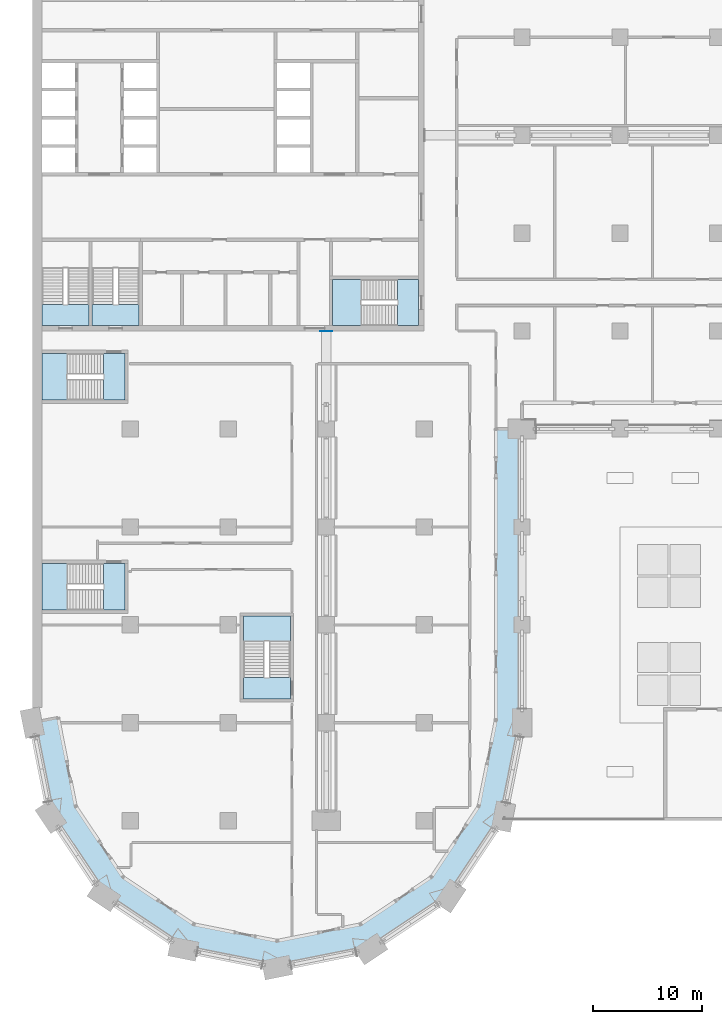
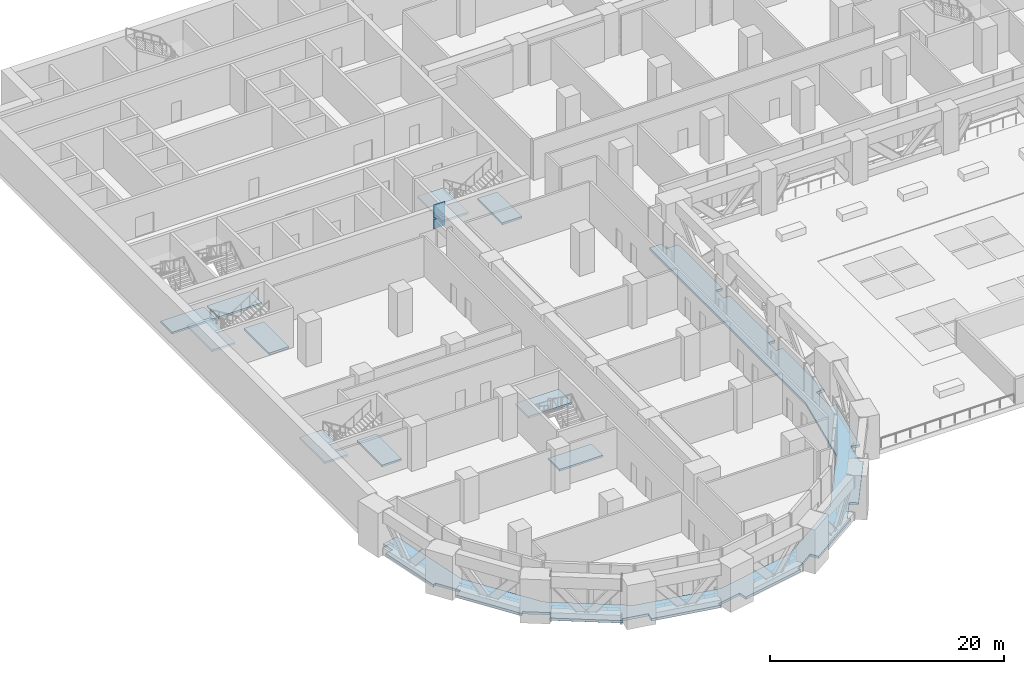
# One storey, part 7 of 31: 11 slabs, 2 plates, 4 elements without a shape of their own.
"""IFC4 building model written with IfcOpenShell, lengths in metres."""

from ifc_helpers import new_model, si_unit, direction, frame, origin, origin_2d, place, context, subcontext, project, spatial, polyline, rectangle, outline, extrude, material, layer, layer_set, type_object, element, aggregate, save


model = new_model("IFC4")

# Units and contexts
model_context = context("Model", 3, precision=1e-05, world=origin(), true_north=direction((0.0, 1.0)))
body_context = subcontext(model_context, "Body", "Model", "MODEL_VIEW")
ifc_project = project(units=[si_unit("LENGTHUNIT", "METRE"), si_unit("AREAUNIT", "SQUARE_METRE"), si_unit("VOLUMEUNIT", "CUBIC_METRE"), si_unit("PLANEANGLEUNIT", "RADIAN"), si_unit("MASSUNIT", "GRAM", prefix="KILO")], contexts=[model_context])

# Site, building, storey
site_placement = place(None, origin())
site = spatial("IfcSite", under=ifc_project, at=site_placement, CompositionType="ELEMENT")
building_placement = place(site_placement, origin())
building = spatial("IfcBuilding", under=site, at=building_placement, Name="Hunhe Ridgeline Campus", CompositionType="ELEMENT")
storey_placement = place(building_placement, frame((0.0, 0.0, 31.199951171875)))
storey = spatial("IfcBuildingStorey", under=building, at=storey_placement, Name="L06", CompositionType="ELEMENT", Elevation=31.199951171875)

# Plates
ifc_material_1 = material(Name="Steel Q420", Category="steel")
ifc_layer_1 = layer(ifc_material_1, 0.0400390625)
ifc_layer_set_1 = layer_set([ifc_layer_1], Name="Cast-in plate 1100x1000x40 Steel Q420")
plate_type_1 = type_object("IfcPlateType", Name="Cast-in plate 1100x1000x40 Steel Q420", PredefinedType="SHEET", material=ifc_layer_set_1)
plate_1_placement = place(storey_placement, frame((27.0, 62.97998046875, 2.199951171875), z_axis=(0.0, 0.0, 1.0), x_axis=(0.0, -1.0, 0.0)))
element("IfcPlate", 1, at=plate_1_placement, inside=storey, type_object=plate_type_1, Name="Cast-in plate OR2 bottom chord L06", PredefinedType="SHEET", context=body_context, shape_type="SweptSolid", body=[
    extrude(rectangle(XDim=0.0400390625, YDim=1.10009765625, at=origin_2d()), origin(), (0.0, 0.0, 1.0), 1.0),
])
ifc_layer_2 = layer(ifc_material_1, 0.0400390625)
ifc_layer_set_2 = layer_set([ifc_layer_2], Name="Cast-in plate 1100x1400x40 Steel Q420")
plate_type_2 = type_object("IfcPlateType", Name="Cast-in plate 1100x1400x40 Steel Q420", PredefinedType="SHEET", material=ifc_layer_set_2)
plate_2_placement = place(storey_placement, frame((27.0, 62.97998046875, 3.300048828125), z_axis=(0.0, 0.0, 1.0), x_axis=(0.0, -1.0, 0.0)))
element("IfcPlate", 2, at=plate_2_placement, inside=storey, type_object=plate_type_2, Name="Cast-in plate OR2 top chord L06", PredefinedType="SHEET", context=body_context, shape_type="SweptSolid", body=[
    extrude(rectangle(XDim=0.0400390625, YDim=1.10009765625, at=origin_2d()), origin(), (0.0, 0.0, 1.0), 1.39990234375),
])

# Slab
ifc_material_2 = material(Name="Concrete C40", Category="concrete")
ifc_layer_3 = layer(ifc_material_2, 0.25)
ifc_layer_set_3 = layer_set([ifc_layer_3], Name="Loggia slab 250 Concrete C40")
slab_type_1 = type_object("IfcSlabType", Name="Loggia slab 250 Concrete C40", PredefinedType="FLOOR", material=ifc_layer_set_3)
slab_1_placement = place(storey_placement, frame((0.0, 0.0, -0.25)))
element("IfcSlab", 3, at=slab_1_placement, inside=storey, type_object=slab_type_1, Name="Loggia slab 1", PredefinedType="FLOOR", context=body_context, shape_type="SweptSolid", body=[
    extrude(outline(polyline([(30.173828125, 8.473388671875), (22.5, 6.947021484375), (14.826171875, 8.473388671875), (8.3203125, 12.8203125), (3.973388671875, 19.326171875), (2.35400390625, 27.46826171875), (0.78466796875, 27.156005859375), (1.018798828125, 25.979248046875), (0.234130859375, 25.822998046875), (1.459228515625, 19.66357421875), (1.711181640625, 19.831787109375), (3.044677734375, 17.83642578125), (2.37939453125, 17.391845703125), (5.868408203125, 12.170166015625), (6.036865234375, 12.421875), (8.0322265625, 11.088623046875), (7.587890625, 10.42333984375), (12.8095703125, 6.934326171875), (12.86865234375, 7.2314453125), (15.22265625, 6.76318359375), (15.066650390625, 5.978515625), (21.22607421875, 4.75341796875), (21.1669921875, 5.050537109375), (23.520751953125, 5.518798828125), (23.677001953125, 4.734130859375), (29.83642578125, 5.959228515625), (29.668212890625, 6.211181640625), (31.66357421875, 7.544677734375), (32.108154296875, 6.87939453125), (37.329833984375, 10.368408203125), (37.078125, 10.536865234375), (38.411376953125, 12.5322265625), (39.07666015625, 12.087890625), (42.565673828125, 17.3095703125), (42.2685546875, 17.36865234375), (42.73681640625, 19.72265625), (43.521484375, 19.566650390625), (44.76123046875, 25.800048828125), (44.199951171875, 25.800048828125), (44.199951171875, 28.199951171875), (45.0, 28.199951171875), (45.0, 35.35009765625), (44.35009765625, 35.35009765625), (44.35009765625, 36.64990234375), (45.0, 36.64990234375), (45.0, 44.35009765625), (44.35009765625, 44.35009765625), (44.35009765625, 45.64990234375), (45.0, 45.64990234375), (45.0, 53.199951171875), (43.800048828125, 53.199951171875), (43.800048828125, 54.0), (42.60009765625, 54.0), (42.60009765625, 27.236328125), (41.026611328125, 19.326171875), (36.6796875, 12.8203125), (30.173828125, 8.473388671875)])), origin(), (0.0, 0.0, 1.0), 0.25),
])

# Stair, slab
stair_type = type_object("IfcStairType", Name="Reinforced concrete dog-leg stair 1950 Concrete C40", PredefinedType="HALF_TURN_STAIR", material=ifc_material_2)
stair_1_placement = place(storey_placement, origin())
stair_1 = element("IfcStair", 4, at=stair_1_placement, inside=storey, type_object=stair_type, Name="L06 S2", PredefinedType="HALF_TURN_STAIR")
ifc_layer_4 = layer(ifc_material_2, 0.199951171875)
ifc_layer_set_4 = layer_set([ifc_layer_4], Name="Reinforced concrete stair landing 200 Concrete C40")
slab_type_2 = type_object("IfcSlabType", Name="Reinforced concrete stair landing 200 Concrete C40", PredefinedType="LANDING", material=ifc_layer_set_4)
slab_2_placement = place(storey_placement, frame((0.0, 0.0, 2.10009765625)))
slab_2 = element("IfcSlab", 5, at=slab_2_placement, type_object=slab_type_2, Name="ST2 landing 1", PredefinedType="LANDING", context=body_context, shape_type="SweptSolid", body=[
    extrude(outline(polyline([(30.18994140625, 67.75), (27.60009765625, 67.75), (27.60009765625, 63.5), (30.18994140625, 63.5), (30.18994140625, 67.75)])), origin(), (0.0, 0.0, 1.0), 0.199951171875),
])
aggregate(stair_1, [slab_2])

# Slabs
slab_3_placement = place(storey_placement, frame((0.0, 0.0, -0.199951171875)))
element("IfcSlab", 6, at=slab_3_placement, inside=storey, type_object=slab_type_2, Name="L06 stair S2 floor landing", PredefinedType="LANDING", context=body_context, shape_type="SweptSolid", body=[
    extrude(outline(polyline([(35.5, 67.75), (33.550048828125, 67.75), (33.550048828125, 63.5), (35.5, 63.5), (35.5, 67.75)])), origin(), (0.0, 0.0, 1.0), 0.199951171875),
])
slab_4_placement = place(storey_placement, frame((0.0, 0.0, -0.199951171875)))
element("IfcSlab", 7, at=slab_4_placement, inside=storey, type_object=slab_type_2, Name="L06 stair S3 floor landing", PredefinedType="LANDING", context=body_context, shape_type="SweptSolid", body=[
    extrude(outline(polyline([(5.199951171875, 63.5), (5.199951171875, 65.449951171875), (0.89990234375, 65.449951171875), (0.89990234375, 63.5), (5.199951171875, 63.5)])), origin(), (0.0, 0.0, 1.0), 0.199951171875),
])
slab_5_placement = place(storey_placement, frame((0.0, 0.0, -0.199951171875)))
element("IfcSlab", 8, at=slab_5_placement, inside=storey, type_object=slab_type_2, Name="L06 stair S4 floor landing", PredefinedType="LANDING", context=body_context, shape_type="SweptSolid", body=[
    extrude(outline(polyline([(9.800048828125, 63.5), (9.800048828125, 65.449951171875), (5.5, 65.449951171875), (5.5, 63.5), (9.800048828125, 63.5)])), origin(), (0.0, 0.0, 1.0), 0.199951171875),
])

# Stair, slab
stair_2_placement = place(storey_placement, origin())
stair_2 = element("IfcStair", 9, at=stair_2_placement, inside=storey, type_object=stair_type, Name="L06 W3", PredefinedType="HALF_TURN_STAIR")
slab_6_placement = place(storey_placement, frame((0.0, 0.0, 2.10009765625)))
slab_6 = element("IfcSlab", 10, at=slab_6_placement, type_object=slab_type_2, Name="ST9 landing 1", PredefinedType="LANDING", context=body_context, shape_type="SweptSolid", body=[
    extrude(outline(polyline([(23.699951171875, 34.510009765625), (23.699951171875, 36.800048828125), (19.39990234375, 36.800048828125), (19.39990234375, 34.510009765625), (23.699951171875, 34.510009765625)])), origin(), (0.0, 0.0, 1.0), 0.199951171875),
])
aggregate(stair_2, [slab_6])

# Slab
slab_7_placement = place(storey_placement, frame((0.0, 0.0, -0.199951171875)))
element("IfcSlab", 11, at=slab_7_placement, inside=storey, type_object=slab_type_2, Name="L06 stair W3 floor landing", PredefinedType="LANDING", context=body_context, shape_type="SweptSolid", body=[
    extrude(outline(polyline([(23.699951171875, 29.199951171875), (23.699951171875, 31.14990234375), (19.39990234375, 31.14990234375), (19.39990234375, 29.199951171875), (23.699951171875, 29.199951171875)])), origin(), (0.0, 0.0, 1.0), 0.199951171875),
])

# Stair, slab
stair_3_placement = place(storey_placement, origin())
stair_3 = element("IfcStair", 12, at=stair_3_placement, inside=storey, type_object=stair_type, Name="L06 W1", PredefinedType="HALF_TURN_STAIR")
slab_8_placement = place(storey_placement, frame((0.0, 0.0, 2.10009765625)))
slab_8 = element("IfcSlab", 13, at=slab_8_placement, type_object=slab_type_2, Name="ST11 landing 1", PredefinedType="LANDING", context=body_context, shape_type="SweptSolid", body=[
    extrude(outline(polyline([(3.18994140625, 41.64990234375), (0.89990234375, 41.64990234375), (0.89990234375, 37.35009765625), (3.18994140625, 37.35009765625), (3.18994140625, 41.64990234375)])), origin(), (0.0, 0.0, 1.0), 0.199951171875),
])
aggregate(stair_3, [slab_8])

# Slab
slab_9_placement = place(storey_placement, frame((0.0, 0.0, -0.199951171875)))
element("IfcSlab", 14, at=slab_9_placement, inside=storey, type_object=slab_type_2, Name="L06 stair W1 floor landing", PredefinedType="LANDING", context=body_context, shape_type="SweptSolid", body=[
    extrude(outline(polyline([(8.5, 41.64990234375), (6.550048828125, 41.64990234375), (6.550048828125, 37.35009765625), (8.5, 37.35009765625), (8.5, 41.64990234375)])), origin(), (0.0, 0.0, 1.0), 0.199951171875),
])

# Stair, slab
stair_4_placement = place(storey_placement, origin())
stair_4 = element("IfcStair", 15, at=stair_4_placement, inside=storey, type_object=stair_type, Name="L06 W2", PredefinedType="HALF_TURN_STAIR")
slab_10_placement = place(storey_placement, frame((0.0, 0.0, 2.10009765625)))
slab_10 = element("IfcSlab", 16, at=slab_10_placement, type_object=slab_type_2, Name="ST12 landing 1", PredefinedType="LANDING", context=body_context, shape_type="SweptSolid", body=[
    extrude(outline(polyline([(3.18994140625, 60.949951171875), (0.89990234375, 60.949951171875), (0.89990234375, 56.64990234375), (3.18994140625, 56.64990234375), (3.18994140625, 60.949951171875)])), origin(), (0.0, 0.0, 1.0), 0.199951171875),
])
aggregate(stair_4, [slab_10])

# Slab
slab_11_placement = place(storey_placement, frame((0.0, 0.0, -0.199951171875)))
element("IfcSlab", 17, at=slab_11_placement, inside=storey, type_object=slab_type_2, Name="L06 stair W2 floor landing", PredefinedType="LANDING", context=body_context, shape_type="SweptSolid", body=[
    extrude(outline(polyline([(8.5, 60.949951171875), (6.550048828125, 60.949951171875), (6.550048828125, 56.64990234375), (8.5, 56.64990234375), (8.5, 60.949951171875)])), origin(), (0.0, 0.0, 1.0), 0.199951171875),
])

save(model, "model.ifc")
